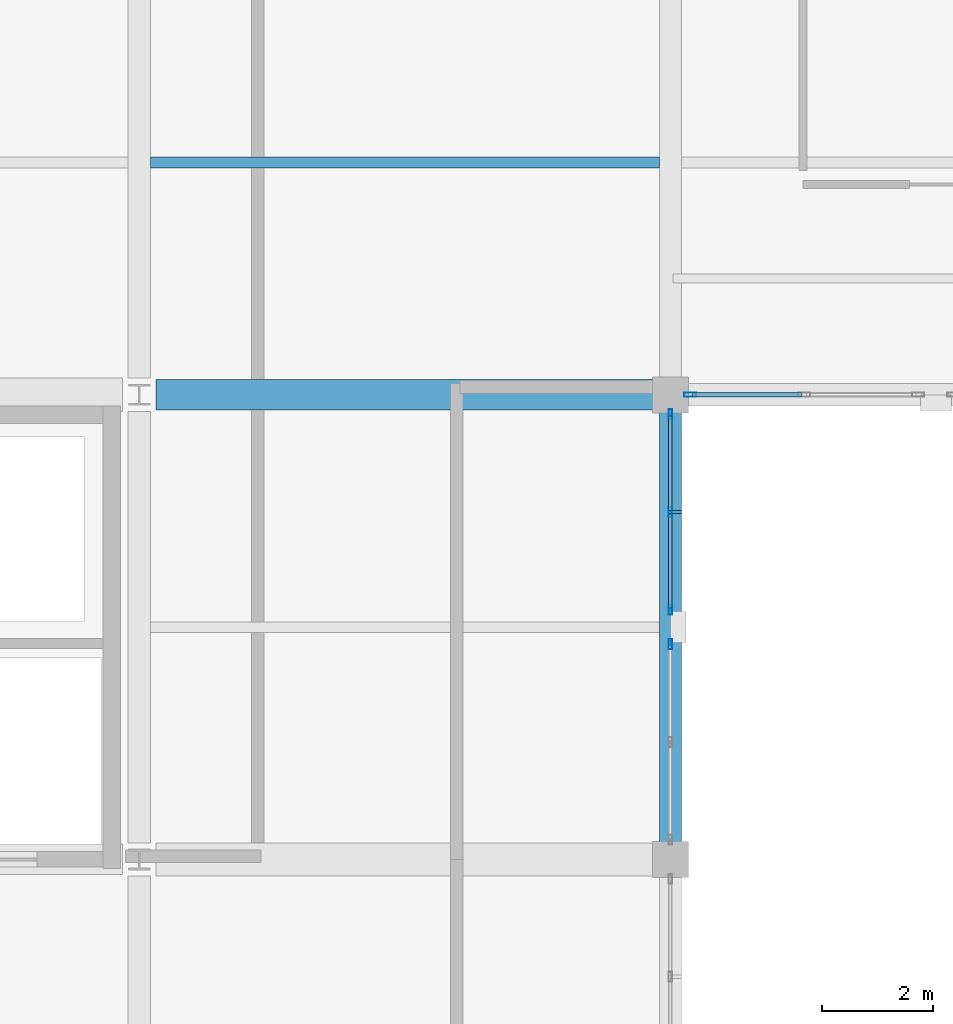
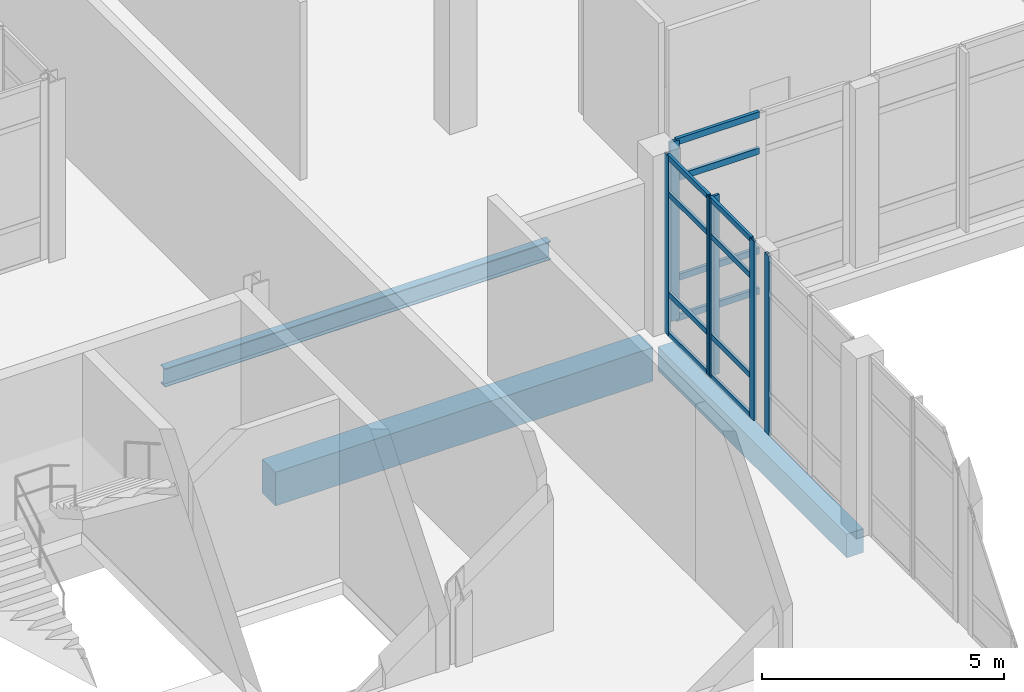
# One storey, part 23 of 102: 18 members, 3 beams, 3 elements without a shape of their own.
"""IFC4 building model written with IfcOpenShell, lengths in metres."""

from ifc_helpers import new_model, si_unit, direction, frame, origin, origin_2d, place, context, subcontext, project, spatial, rectangle, hollow_rectangle, i_section, extrude, material, layer, layer_set, material_profile, profile_set, type_object, element, aggregate, save


model = new_model("IFC4")

# Units and contexts
model_context = context("Model", 3, precision=1e-05, world=origin(), true_north=direction((0.0, 1.0)))
body_context = subcontext(model_context, "Body", "Model", "MODEL_VIEW")
ifc_project = project(units=[si_unit("LENGTHUNIT", "METRE"), si_unit("AREAUNIT", "SQUARE_METRE"), si_unit("VOLUMEUNIT", "CUBIC_METRE"), si_unit("PLANEANGLEUNIT", "RADIAN"), si_unit("MASSUNIT", "GRAM", prefix="KILO")], contexts=[model_context])

# Site, building, storey
site_placement = place(None, origin())
site = spatial("IfcSite", under=ifc_project, at=site_placement, CompositionType="ELEMENT")
building_placement = place(site_placement, origin())
building = spatial("IfcBuilding", under=site, at=building_placement, Name="Lornevale Opera House", CompositionType="ELEMENT")
storey_placement = place(building_placement, frame((0.0, 0.0, 5.39990234375)))
storey = spatial("IfcBuildingStorey", under=building, at=storey_placement, Name="L02", CompositionType="ELEMENT", Elevation=5.39990234375)

# Beams
ifc_material_1 = material(Name="Concrete 35 MPa (CSA A23.1 N)", Category="concrete")
ifc_material_profile_1 = material_profile(ifc_material_1, rectangle(XDim=0.550048828125, YDim=0.85009765625, at=origin_2d()), Name="RC550x850")
ifc_profile_set_1 = profile_set([ifc_material_profile_1], Name="Concrete 35 MPa (CSA A23.1 N)")
beam_type_1 = type_object("IfcBeamType", Name="Concrete Primary Girder 550x850", PredefinedType="USERDEFINED", material=ifc_profile_set_1)
beam_1_placement = place(storey_placement, frame((29.10009765625, 16.800048828125, -0.724853515625), z_axis=(1.0, 0.0, 0.0), x_axis=(0.0, 1.0, 0.0)))
element("IfcBeam", 1, at=beam_1_placement, inside=storey, type_object=beam_type_1, Name="Concrete Primary Girder 550x850 1684", ObjectType="GIRDER", PredefinedType="USERDEFINED", context=body_context, shape_type="SweptSolid", body=[
    extrude(rectangle(XDim=0.550048828125, YDim=0.85009765625, at=origin_2d()), origin(), (0.0, 0.0, 1.0), 9.0),
])
ifc_material_profile_2 = material_profile(ifc_material_1, rectangle(XDim=0.39990234375, YDim=0.60009765625, at=origin_2d()), Name="RC400x600")
ifc_profile_set_2 = profile_set([ifc_material_profile_2], Name="Concrete 35 MPa (CSA A23.1 N)")
beam_type_2 = type_object("IfcBeamType", Name="Concrete Spandrel Beam 400x600", PredefinedType="SPANDREL", material=ifc_profile_set_2)
beam_2_placement = place(storey_placement, frame((38.39990234375, 8.699951171875, -0.599853515625), z_axis=(0.0, 1.0, 0.0), x_axis=(-1.0, 0.0, 0.0)))
element("IfcBeam", 2, at=beam_2_placement, inside=storey, type_object=beam_type_2, Name="Concrete Spandrel Beam 400x600 1858", PredefinedType="SPANDREL", context=body_context, shape_type="SweptSolid", body=[
    extrude(rectangle(XDim=0.39990234375, YDim=0.60009765625, at=origin_2d()), origin(), (0.0, 0.0, 1.0), 7.800048828125),
])

# Curtain wall, members
ifc_material_2 = material(Name="Anodized Oxide-Green Aluminium Framing", Category="aluminium")
ifc_layer_1 = layer(ifc_material_2, 0.175048828125)
ifc_layer_set_1 = layer_set([ifc_layer_1], Name="Anodized Oxide-Green Aluminium Framing")
curtain_wall_type_1 = type_object("IfcCurtainWallType", Name="Chamber Cloister Curtain Wall M1700", PredefinedType="NOTDEFINED", material=ifc_layer_set_1)
curtain_wall_1_placement = place(storey_placement, origin())
curtain_wall_1 = element("IfcCurtainWall", 3, at=curtain_wall_1_placement, inside=storey, type_object=curtain_wall_type_1, Name="Chamber Cloister Curtain Wall M1700 CW-049", PredefinedType="NOTDEFINED")
ifc_material_profile_3 = material_profile(ifc_material_2, hollow_rectangle(XDim=0.06494140625, YDim=0.179931640625, WallThickness=0.0048828125, at=origin_2d()), Name="ALU65x180x5")
ifc_profile_set_3 = profile_set([ifc_material_profile_3], Name="Anodized Oxide-Green Aluminium Framing")
member_type_1 = type_object("IfcMemberType", Name="Curtain Wall Mullion 65x180", PredefinedType="MULLION", material=ifc_profile_set_3)
member_1_placement = place(storey_placement, frame((38.39990234375, 16.446533203125, 0.0), z_axis=(0.0, 0.0, 1.0), x_axis=(1.0, 0.0, 0.0)))
member_1 = element("IfcMember", 4, at=member_1_placement, type_object=member_type_1, Name="Curtain Wall Mullion 65x180 CW1009", PredefinedType="MULLION", context=body_context, shape_type="SweptSolid", body=[
    extrude(hollow_rectangle(XDim=0.06494140625, YDim=0.179931640625, WallThickness=0.0048828125, at=origin_2d()), origin(), (0.0, 0.0, 1.0), 4.52001953125),
])
member_2_placement = place(storey_placement, frame((38.39990234375, 14.679443359375, 0.0), z_axis=(0.0, 0.0, 1.0), x_axis=(1.0, 0.0, 0.0)))
member_2 = element("IfcMember", 5, at=member_2_placement, type_object=member_type_1, Name="Curtain Wall Mullion 65x180 CW1010", PredefinedType="MULLION", context=body_context, shape_type="SweptSolid", body=[
    extrude(hollow_rectangle(XDim=0.06494140625, YDim=0.179931640625, WallThickness=0.0048828125, at=origin_2d()), origin(), (0.0, 0.0, 1.0), 4.52001953125),
])
member_3_placement = place(storey_placement, frame((38.39990234375, 12.91259765625, 0.0), z_axis=(0.0, 0.0, 1.0), x_axis=(1.0, 0.0, 0.0)))
member_3 = element("IfcMember", 6, at=member_3_placement, type_object=member_type_1, Name="Curtain Wall Mullion 65x180 CW1011", PredefinedType="MULLION", context=body_context, shape_type="SweptSolid", body=[
    extrude(hollow_rectangle(XDim=0.06494140625, YDim=0.179931640625, WallThickness=0.0048828125, at=origin_2d()), origin(), (0.0, 0.0, 1.0), 4.52001953125),
])

# Curtain wall, member
curtain_wall_2_placement = place(storey_placement, origin())
curtain_wall_2 = element("IfcCurtainWall", 7, at=curtain_wall_2_placement, inside=storey, type_object=curtain_wall_type_1, Name="Chamber Cloister Curtain Wall M1700 CW-050", PredefinedType="NOTDEFINED")
member_4_placement = place(storey_placement, frame((38.39990234375, 12.28759765625, 0.0), z_axis=(0.0, 0.0, 1.0), x_axis=(1.0, 0.0, 0.0)))
member_4 = element("IfcMember", 8, at=member_4_placement, type_object=member_type_1, Name="Curtain Wall Mullion 65x180 CW1026", PredefinedType="MULLION", context=body_context, shape_type="SweptSolid", body=[
    extrude(hollow_rectangle(XDim=0.06494140625, YDim=0.179931640625, WallThickness=0.0048828125, at=origin_2d()), origin(), (0.0, 0.0, 1.0), 4.52001953125),
])
aggregate(curtain_wall_2, [member_4])

ifc_layer_2 = layer(ifc_material_2, 0.219970703125)
ifc_layer_set_2 = layer_set([ifc_layer_2], Name="Anodized Oxide-Green Aluminium Framing")
curtain_wall_type_2 = type_object("IfcCurtainWallType", Name="Winter-Garden Curtain Wall M1900", PredefinedType="NOTDEFINED", material=ifc_layer_set_2)
curtain_wall_3_placement = place(storey_placement, origin())
curtain_wall_3 = element("IfcCurtainWall", 9, at=curtain_wall_3_placement, inside=storey, type_object=curtain_wall_type_2, Name="Winter-Garden Curtain Wall M1900 CW-064", PredefinedType="NOTDEFINED")
ifc_material_profile_4 = material_profile(ifc_material_2, hollow_rectangle(XDim=0.074951171875, YDim=0.219970703125, WallThickness=0.0048828125, at=origin_2d()), Name="ALU75x220x5")
ifc_profile_set_4 = profile_set([ifc_material_profile_4], Name="Anodized Oxide-Green Aluminium Framing")
member_type_2 = type_object("IfcMemberType", Name="Curtain Wall Mullion 75x220", PredefinedType="MULLION", material=ifc_profile_set_4)
member_5_placement = place(storey_placement, frame((38.758544921875, 16.800048828125, 0.0), z_axis=(0.0, 0.0, 1.0), x_axis=(0.0, -1.0, 0.0)))
member_5 = element("IfcMember", 10, at=member_5_placement, type_object=member_type_2, Name="Curtain Wall Mullion 75x220 CW1274", PredefinedType="MULLION", context=body_context, shape_type="SweptSolid", body=[
    extrude(hollow_rectangle(XDim=0.074951171875, YDim=0.219970703125, WallThickness=0.0048828125, at=origin_2d()), origin(), (0.0, 0.0, 1.0), 4.52001953125),
])

# Member
ifc_material_profile_5 = material_profile(ifc_material_2, hollow_rectangle(XDim=0.06494140625, YDim=0.135009765625, WallThickness=0.00390625, at=origin_2d()), Name="ALU65x135x4")
ifc_profile_set_5 = profile_set([ifc_material_profile_5], Name="Anodized Oxide-Green Aluminium Framing")
member_type_3 = type_object("IfcMemberType", Name="Curtain Wall Transom 65x135", PredefinedType="USERDEFINED", material=ifc_profile_set_5)
member_6_placement = place(storey_placement, frame((38.39990234375, 16.4140625, 0.03271484375), z_axis=(0.0, -1.0, 0.0), x_axis=(1.0, 0.0, 0.0)))
member_6 = element("IfcMember", 11, at=member_6_placement, type_object=member_type_3, Name="Curtain Wall Transom 65x135 CW1012", ObjectType="TRANSOM", PredefinedType="USERDEFINED", context=body_context, shape_type="SweptSolid", body=[
    extrude(hollow_rectangle(XDim=0.06494140625, YDim=0.135009765625, WallThickness=0.00390625, at=origin_2d()), origin(), (0.0, 0.0, 1.0), 1.7021484375),
])

member_7_placement = place(storey_placement, frame((38.39990234375, 16.4140625, 1.050048828125), z_axis=(0.0, -1.0, 0.0), x_axis=(1.0, 0.0, 0.0)))
member_7 = element("IfcMember", 12, at=member_7_placement, type_object=member_type_3, Name="Curtain Wall Transom 65x135 CW1013", ObjectType="TRANSOM", PredefinedType="USERDEFINED", context=body_context, shape_type="SweptSolid", body=[
    extrude(hollow_rectangle(XDim=0.06494140625, YDim=0.135009765625, WallThickness=0.00390625, at=origin_2d()), origin(), (0.0, 0.0, 1.0), 1.7021484375),
])

member_8_placement = place(storey_placement, frame((38.39990234375, 16.4140625, 3.570068359375), z_axis=(0.0, -1.0, 0.0), x_axis=(1.0, 0.0, 0.0)))
member_8 = element("IfcMember", 13, at=member_8_placement, type_object=member_type_3, Name="Curtain Wall Transom 65x135 CW1014", ObjectType="TRANSOM", PredefinedType="USERDEFINED", context=body_context, shape_type="SweptSolid", body=[
    extrude(hollow_rectangle(XDim=0.06494140625, YDim=0.135009765625, WallThickness=0.00390625, at=origin_2d()), origin(), (0.0, 0.0, 1.0), 1.7021484375),
])

member_9_placement = place(storey_placement, frame((38.39990234375, 16.4140625, 4.487548828125), z_axis=(0.0, -1.0, 0.0), x_axis=(1.0, 0.0, 0.0)))
member_9 = element("IfcMember", 14, at=member_9_placement, type_object=member_type_3, Name="Curtain Wall Transom 65x135 CW1015", ObjectType="TRANSOM", PredefinedType="USERDEFINED", context=body_context, shape_type="SweptSolid", body=[
    extrude(hollow_rectangle(XDim=0.06494140625, YDim=0.135009765625, WallThickness=0.00390625, at=origin_2d()), origin(), (0.0, 0.0, 1.0), 1.7021484375),
])

member_10_placement = place(storey_placement, frame((38.39990234375, 14.64697265625, 0.03271484375), z_axis=(0.0, -1.0, 0.0), x_axis=(1.0, 0.0, 0.0)))
member_10 = element("IfcMember", 15, at=member_10_placement, type_object=member_type_3, Name="Curtain Wall Transom 65x135 CW1019", ObjectType="TRANSOM", PredefinedType="USERDEFINED", context=body_context, shape_type="SweptSolid", body=[
    extrude(hollow_rectangle(XDim=0.06494140625, YDim=0.135009765625, WallThickness=0.00390625, at=origin_2d()), origin(), (0.0, 0.0, 1.0), 1.701904296875),
])

member_11_placement = place(storey_placement, frame((38.39990234375, 14.64697265625, 1.050048828125), z_axis=(0.0, -1.0, 0.0), x_axis=(1.0, 0.0, 0.0)))
member_11 = element("IfcMember", 16, at=member_11_placement, type_object=member_type_3, Name="Curtain Wall Transom 65x135 CW1020", ObjectType="TRANSOM", PredefinedType="USERDEFINED", context=body_context, shape_type="SweptSolid", body=[
    extrude(hollow_rectangle(XDim=0.06494140625, YDim=0.135009765625, WallThickness=0.00390625, at=origin_2d()), origin(), (0.0, 0.0, 1.0), 1.701904296875),
])

member_12_placement = place(storey_placement, frame((38.39990234375, 14.64697265625, 3.570068359375), z_axis=(0.0, -1.0, 0.0), x_axis=(1.0, 0.0, 0.0)))
member_12 = element("IfcMember", 17, at=member_12_placement, type_object=member_type_3, Name="Curtain Wall Transom 65x135 CW1021", ObjectType="TRANSOM", PredefinedType="USERDEFINED", context=body_context, shape_type="SweptSolid", body=[
    extrude(hollow_rectangle(XDim=0.06494140625, YDim=0.135009765625, WallThickness=0.00390625, at=origin_2d()), origin(), (0.0, 0.0, 1.0), 1.701904296875),
])

member_13_placement = place(storey_placement, frame((38.39990234375, 14.64697265625, 4.487548828125), z_axis=(0.0, -1.0, 0.0), x_axis=(1.0, 0.0, 0.0)))
member_13 = element("IfcMember", 18, at=member_13_placement, type_object=member_type_3, Name="Curtain Wall Transom 65x135 CW1022", ObjectType="TRANSOM", PredefinedType="USERDEFINED", context=body_context, shape_type="SweptSolid", body=[
    extrude(hollow_rectangle(XDim=0.06494140625, YDim=0.135009765625, WallThickness=0.00390625, at=origin_2d()), origin(), (0.0, 0.0, 1.0), 1.701904296875),
])

ifc_material_profile_6 = material_profile(ifc_material_2, hollow_rectangle(XDim=0.074951171875, YDim=0.159912109375, WallThickness=0.0048828125, at=origin_2d()), Name="ALU75x160x5")
ifc_profile_set_6 = profile_set([ifc_material_profile_6], Name="Anodized Oxide-Green Aluminium Framing")
member_type_4 = type_object("IfcMemberType", Name="Curtain Wall Transom 75x160", PredefinedType="USERDEFINED", material=ifc_profile_set_6)
member_14_placement = place(storey_placement, frame((40.782958984375, 16.800048828125, 0.03759765625), z_axis=(-1.0, 0.0, 0.0), x_axis=(0.0, -1.0, 0.0)))
member_14 = element("IfcMember", 19, at=member_14_placement, type_object=member_type_4, Name="Curtain Wall Transom 75x160 CW1282", ObjectType="TRANSOM", PredefinedType="USERDEFINED", context=body_context, shape_type="SweptSolid", body=[
    extrude(hollow_rectangle(XDim=0.074951171875, YDim=0.159912109375, WallThickness=0.0048828125, at=origin_2d()), origin(), (0.0, 0.0, 1.0), 1.987060546875),
])

member_15_placement = place(storey_placement, frame((40.782958984375, 16.800048828125, 1.050048828125), z_axis=(-1.0, 0.0, 0.0), x_axis=(0.0, -1.0, 0.0)))
member_15 = element("IfcMember", 20, at=member_15_placement, type_object=member_type_4, Name="Curtain Wall Transom 75x160 CW1283", ObjectType="TRANSOM", PredefinedType="USERDEFINED", context=body_context, shape_type="SweptSolid", body=[
    extrude(hollow_rectangle(XDim=0.074951171875, YDim=0.159912109375, WallThickness=0.0048828125, at=origin_2d()), origin(), (0.0, 0.0, 1.0), 1.987060546875),
])

member_16_placement = place(storey_placement, frame((40.782958984375, 16.800048828125, 3.570068359375), z_axis=(-1.0, 0.0, 0.0), x_axis=(0.0, -1.0, 0.0)))
member_16 = element("IfcMember", 21, at=member_16_placement, type_object=member_type_4, Name="Curtain Wall Transom 75x160 CW1284", ObjectType="TRANSOM", PredefinedType="USERDEFINED", context=body_context, shape_type="SweptSolid", body=[
    extrude(hollow_rectangle(XDim=0.074951171875, YDim=0.159912109375, WallThickness=0.0048828125, at=origin_2d()), origin(), (0.0, 0.0, 1.0), 1.987060546875),
])

member_17_placement = place(storey_placement, frame((40.782958984375, 16.800048828125, 4.482666015625), z_axis=(-1.0, 0.0, 0.0), x_axis=(0.0, -1.0, 0.0)))
member_17 = element("IfcMember", 22, at=member_17_placement, type_object=member_type_4, Name="Curtain Wall Transom 75x160 CW1285", ObjectType="TRANSOM", PredefinedType="USERDEFINED", context=body_context, shape_type="SweptSolid", body=[
    extrude(hollow_rectangle(XDim=0.074951171875, YDim=0.159912109375, WallThickness=0.0048828125, at=origin_2d()), origin(), (0.0, 0.0, 1.0), 1.987060546875),
])

aggregate(curtain_wall_3, [member_5, member_14, member_15, member_16, member_17])

ifc_material_3 = material(Name="Architectural Bronze Solar Louvre Alloy", Category="metal")
ifc_material_profile_7 = material_profile(ifc_material_3, rectangle(XDim=0.06005859375, YDim=0.239990234375, at=origin_2d()), Name="FIN60x240")
ifc_profile_set_7 = profile_set([ifc_material_profile_7], Name="Architectural Bronze Solar Louvre Alloy")
member_type_5 = type_object("IfcMemberType", Name="Solar Shading Fin 60x240", PredefinedType="USERDEFINED", material=ifc_profile_set_7)
member_18_placement = place(storey_placement, frame((38.48388671875, 14.679443359375, 0.0), z_axis=(0.0, 0.0, 1.0), x_axis=(0.0, -1.0, 0.0)))
member_18 = element("IfcMember", 23, at=member_18_placement, type_object=member_type_5, Name="Solar Shading Fin 60x240 FIN0019", ObjectType="SOLAR FIN", PredefinedType="USERDEFINED", context=body_context, shape_type="SweptSolid", body=[
    extrude(rectangle(XDim=0.06005859375, YDim=0.239990234375, at=origin_2d()), origin(), (0.0, 0.0, 1.0), 4.52001953125),
])

aggregate(curtain_wall_1, [member_1, member_2, member_3, member_6, member_7, member_8, member_9, member_10, member_11, member_12, member_13, member_18])

# Beam
ifc_material_4 = material(Name="Structural Steel CSA G40.21 Grade 350W (350 MPa)", Category="steel")
ifc_material_profile_8 = material_profile(ifc_material_4, i_section(OverallWidth=0.19189453125, OverallDepth=0.462890625, WebThickness=0.010498046875, FlangeThickness=0.017578125, at=origin_2d()), Name="W460x89")
ifc_profile_set_8 = profile_set([ifc_material_profile_8], Name="Structural Steel CSA G40.21 Grade 350W (350 MPa)")
beam_type_3 = type_object("IfcBeamType", Name="Steel Floor Joist W460x89", PredefinedType="JOIST", material=ifc_profile_set_8)
beam_3_placement = place(storey_placement, frame((29.0, 21.0, -0.54638671875), z_axis=(1.0, 0.0, 0.0), x_axis=(0.0, 1.0, 0.0)))
element("IfcBeam", 24, at=beam_3_placement, inside=storey, type_object=beam_type_3, Name="Steel Floor Joist W460x89 1992", PredefinedType="JOIST", context=body_context, shape_type="SweptSolid", body=[
    extrude(i_section(OverallWidth=0.19189453125, OverallDepth=0.462890625, WebThickness=0.010498046875, FlangeThickness=0.017578125, at=origin_2d()), origin(), (0.0, 0.0, 1.0), 9.199951171875),
])

save(model, "model.ifc")
